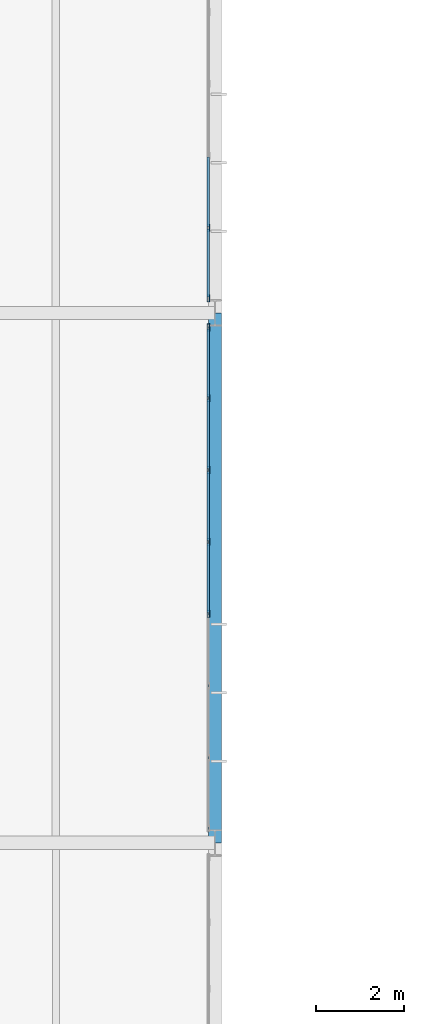
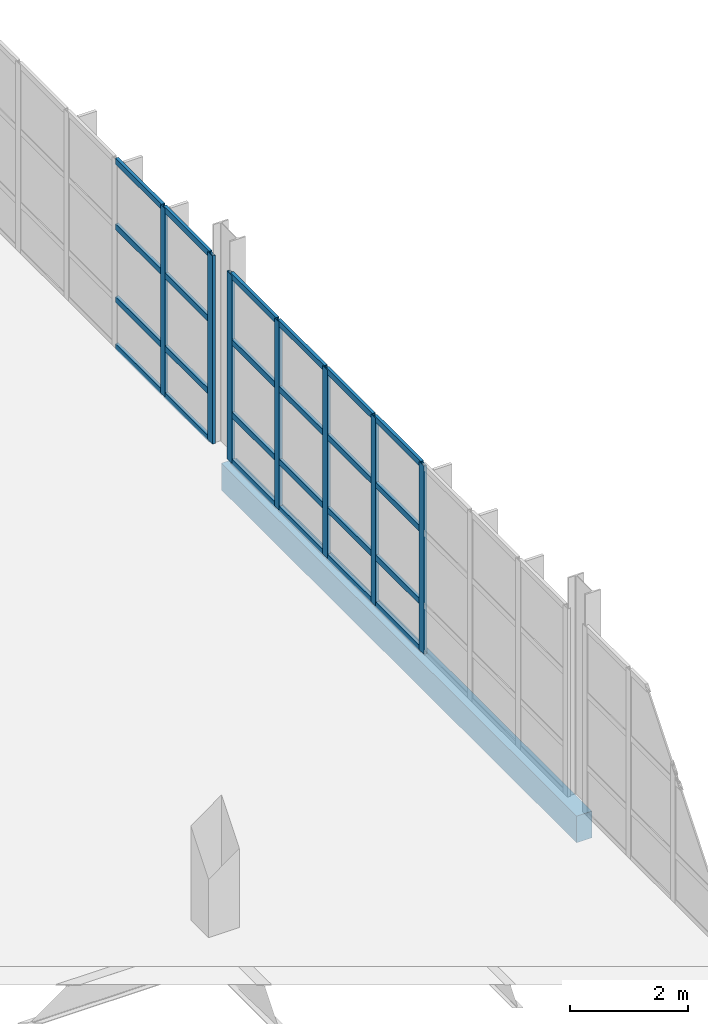
# One storey, part 95 of 130: 31 members, 1 beam, 2 elements without a shape of their own.
"""IFC4 building model written with IfcOpenShell, lengths in metres."""

from ifc_helpers import new_model, si_unit, direction, frame, origin, origin_2d, place, context, subcontext, project, spatial, rectangle, hollow_rectangle, extrude, material, material_profile, profile_set, type_object, element, aggregate, save


model = new_model("IFC4")

# Units and contexts
model_context = context("Model", 3, precision=1e-05, world=origin(), true_north=direction((0.0, 1.0)))
body_context = subcontext(model_context, "Body", "Model", "MODEL_VIEW")
ifc_project = project(units=[si_unit("LENGTHUNIT", "METRE"), si_unit("AREAUNIT", "SQUARE_METRE"), si_unit("VOLUMEUNIT", "CUBIC_METRE"), si_unit("PLANEANGLEUNIT", "RADIAN"), si_unit("MASSUNIT", "GRAM", prefix="KILO")], contexts=[model_context])

# Site, building, storey
site_placement = place(None, origin())
site = spatial("IfcSite", under=ifc_project, at=site_placement, CompositionType="ELEMENT")
building_placement = place(site_placement, origin())
building = spatial("IfcBuilding", under=site, at=building_placement, Name="Veltarok Museum of Natural Sciences", CompositionType="ELEMENT")
storey_placement = place(building_placement, frame((0.0, 0.0, 12.89990234375)))
storey = spatial("IfcBuildingStorey", under=building, at=storey_placement, Name="L02", CompositionType="ELEMENT", Elevation=12.89990234375)

# Curtain wall, members
ifc_material_1 = material(Name="Low-iron triple insulated glass", Category="glass")
curtain_wall_type_1 = type_object("IfcCurtainWallType", Name="Curtain Wall System CW-V5E-L02-E-1140x388 (V5 East Lab L02 E-F 1140x388cm)", PredefinedType="NOTDEFINED", material=ifc_material_1)
curtain_wall_1_placement = place(storey_placement, origin())
curtain_wall_1 = element("IfcCurtainWall", 1, at=curtain_wall_1_placement, inside=storey, type_object=curtain_wall_type_1, Name="Curtain Wall CW-V5E-L02-E-1140x388 CW-0112", PredefinedType="NOTDEFINED")
ifc_material_2 = material(Name="Thermally broken anodised aluminium", Category="aluminium")
ifc_material_profile_1 = material_profile(ifc_material_2, hollow_rectangle(XDim=0.06005859375, YDim=0.1201171875, WallThickness=0.0048828125, at=origin_2d()), Name="CW TRANSOM 60x120x5")
ifc_profile_set_1 = profile_set([ifc_material_profile_1], Name="Thermally broken anodised aluminium")
member_type_1 = type_object("IfcMemberType", Name="Curtain Wall Horizontal Transom 60x120x5", PredefinedType="USERDEFINED", material=ifc_profile_set_1)
member_1_placement = place(storey_placement, frame((164.64990234375, 41.2158203125, 0.030029296875), z_axis=(0.0, 1.0, 0.0), x_axis=(-1.0, 0.0, 0.0)))
member_1 = element("IfcMember", 2, at=member_1_placement, type_object=member_type_1, Name="CW-V5E-L02-E-1140x388 transom 4.1", ObjectType="TRANSOM", PredefinedType="USERDEFINED", context=body_context, shape_type="SweptSolid", body=[
    extrude(hollow_rectangle(XDim=0.06005859375, YDim=0.1201171875, WallThickness=0.0048828125, at=origin_2d()), origin(), (0.0, 0.0, 1.0), 1.568359375),
])
member_2_placement = place(storey_placement, frame((164.64990234375, 41.2158203125, 1.0), z_axis=(0.0, 1.0, 0.0), x_axis=(-1.0, 0.0, 0.0)))
member_2 = element("IfcMember", 3, at=member_2_placement, type_object=member_type_1, Name="CW-V5E-L02-E-1140x388 transom 4.2", ObjectType="TRANSOM", PredefinedType="USERDEFINED", context=body_context, shape_type="SweptSolid", body=[
    extrude(hollow_rectangle(XDim=0.06005859375, YDim=0.1201171875, WallThickness=0.0048828125, at=origin_2d()), origin(), (0.0, 0.0, 1.0), 1.568359375),
])
member_3_placement = place(storey_placement, frame((164.64990234375, 41.2158203125, 2.5), z_axis=(0.0, 1.0, 0.0), x_axis=(-1.0, 0.0, 0.0)))
member_3 = element("IfcMember", 4, at=member_3_placement, type_object=member_type_1, Name="CW-V5E-L02-E-1140x388 transom 4.3", ObjectType="TRANSOM", PredefinedType="USERDEFINED", context=body_context, shape_type="SweptSolid", body=[
    extrude(hollow_rectangle(XDim=0.06005859375, YDim=0.1201171875, WallThickness=0.0048828125, at=origin_2d()), origin(), (0.0, 0.0, 1.0), 1.568359375),
])
member_4_placement = place(storey_placement, frame((164.64990234375, 41.2158203125, 3.85009765625), z_axis=(0.0, 1.0, 0.0), x_axis=(-1.0, 0.0, 0.0)))
member_4 = element("IfcMember", 5, at=member_4_placement, type_object=member_type_1, Name="CW-V5E-L02-E-1140x388 transom 4.4", ObjectType="TRANSOM", PredefinedType="USERDEFINED", context=body_context, shape_type="SweptSolid", body=[
    extrude(hollow_rectangle(XDim=0.06005859375, YDim=0.1201171875, WallThickness=0.0048828125, at=origin_2d()), origin(), (0.0, 0.0, 1.0), 1.568359375),
])
member_5_placement = place(storey_placement, frame((164.64990234375, 42.84423828125, 0.030029296875), z_axis=(0.0, 1.0, 0.0), x_axis=(-1.0, 0.0, 0.0)))
member_5 = element("IfcMember", 6, at=member_5_placement, type_object=member_type_1, Name="CW-V5E-L02-E-1140x388 transom 5.1", ObjectType="TRANSOM", PredefinedType="USERDEFINED", context=body_context, shape_type="SweptSolid", body=[
    extrude(hollow_rectangle(XDim=0.06005859375, YDim=0.1201171875, WallThickness=0.0048828125, at=origin_2d()), origin(), (0.0, 0.0, 1.0), 1.568603515625),
])
member_6_placement = place(storey_placement, frame((164.64990234375, 42.84423828125, 1.0), z_axis=(0.0, 1.0, 0.0), x_axis=(-1.0, 0.0, 0.0)))
member_6 = element("IfcMember", 7, at=member_6_placement, type_object=member_type_1, Name="CW-V5E-L02-E-1140x388 transom 5.2", ObjectType="TRANSOM", PredefinedType="USERDEFINED", context=body_context, shape_type="SweptSolid", body=[
    extrude(hollow_rectangle(XDim=0.06005859375, YDim=0.1201171875, WallThickness=0.0048828125, at=origin_2d()), origin(), (0.0, 0.0, 1.0), 1.568603515625),
])
member_7_placement = place(storey_placement, frame((164.64990234375, 42.84423828125, 2.5), z_axis=(0.0, 1.0, 0.0), x_axis=(-1.0, 0.0, 0.0)))
member_7 = element("IfcMember", 8, at=member_7_placement, type_object=member_type_1, Name="CW-V5E-L02-E-1140x388 transom 5.3", ObjectType="TRANSOM", PredefinedType="USERDEFINED", context=body_context, shape_type="SweptSolid", body=[
    extrude(hollow_rectangle(XDim=0.06005859375, YDim=0.1201171875, WallThickness=0.0048828125, at=origin_2d()), origin(), (0.0, 0.0, 1.0), 1.568603515625),
])
member_8_placement = place(storey_placement, frame((164.64990234375, 42.84423828125, 3.85009765625), z_axis=(0.0, 1.0, 0.0), x_axis=(-1.0, 0.0, 0.0)))
member_8 = element("IfcMember", 9, at=member_8_placement, type_object=member_type_1, Name="CW-V5E-L02-E-1140x388 transom 5.4", ObjectType="TRANSOM", PredefinedType="USERDEFINED", context=body_context, shape_type="SweptSolid", body=[
    extrude(hollow_rectangle(XDim=0.06005859375, YDim=0.1201171875, WallThickness=0.0048828125, at=origin_2d()), origin(), (0.0, 0.0, 1.0), 1.568603515625),
])
member_9_placement = place(storey_placement, frame((164.64990234375, 44.472900390625, 0.030029296875), z_axis=(0.0, 1.0, 0.0), x_axis=(-1.0, 0.0, 0.0)))
member_9 = element("IfcMember", 10, at=member_9_placement, type_object=member_type_1, Name="CW-V5E-L02-E-1140x388 transom 6.1", ObjectType="TRANSOM", PredefinedType="USERDEFINED", context=body_context, shape_type="SweptSolid", body=[
    extrude(hollow_rectangle(XDim=0.06005859375, YDim=0.1201171875, WallThickness=0.0048828125, at=origin_2d()), origin(), (0.0, 0.0, 1.0), 1.568603515625),
])
member_10_placement = place(storey_placement, frame((164.64990234375, 44.472900390625, 1.0), z_axis=(0.0, 1.0, 0.0), x_axis=(-1.0, 0.0, 0.0)))
member_10 = element("IfcMember", 11, at=member_10_placement, type_object=member_type_1, Name="CW-V5E-L02-E-1140x388 transom 6.2", ObjectType="TRANSOM", PredefinedType="USERDEFINED", context=body_context, shape_type="SweptSolid", body=[
    extrude(hollow_rectangle(XDim=0.06005859375, YDim=0.1201171875, WallThickness=0.0048828125, at=origin_2d()), origin(), (0.0, 0.0, 1.0), 1.568603515625),
])
member_11_placement = place(storey_placement, frame((164.64990234375, 44.472900390625, 2.5), z_axis=(0.0, 1.0, 0.0), x_axis=(-1.0, 0.0, 0.0)))
member_11 = element("IfcMember", 12, at=member_11_placement, type_object=member_type_1, Name="CW-V5E-L02-E-1140x388 transom 6.3", ObjectType="TRANSOM", PredefinedType="USERDEFINED", context=body_context, shape_type="SweptSolid", body=[
    extrude(hollow_rectangle(XDim=0.06005859375, YDim=0.1201171875, WallThickness=0.0048828125, at=origin_2d()), origin(), (0.0, 0.0, 1.0), 1.568603515625),
])
member_12_placement = place(storey_placement, frame((164.64990234375, 44.472900390625, 3.85009765625), z_axis=(0.0, 1.0, 0.0), x_axis=(-1.0, 0.0, 0.0)))
member_12 = element("IfcMember", 13, at=member_12_placement, type_object=member_type_1, Name="CW-V5E-L02-E-1140x388 transom 6.4", ObjectType="TRANSOM", PredefinedType="USERDEFINED", context=body_context, shape_type="SweptSolid", body=[
    extrude(hollow_rectangle(XDim=0.06005859375, YDim=0.1201171875, WallThickness=0.0048828125, at=origin_2d()), origin(), (0.0, 0.0, 1.0), 1.568603515625),
])
member_13_placement = place(storey_placement, frame((164.64990234375, 46.101318359375, 0.030029296875), z_axis=(0.0, 1.0, 0.0), x_axis=(-1.0, 0.0, 0.0)))
member_13 = element("IfcMember", 14, at=member_13_placement, type_object=member_type_1, Name="CW-V5E-L02-E-1140x388 transom 7.1", ObjectType="TRANSOM", PredefinedType="USERDEFINED", context=body_context, shape_type="SweptSolid", body=[
    extrude(hollow_rectangle(XDim=0.06005859375, YDim=0.1201171875, WallThickness=0.0048828125, at=origin_2d()), origin(), (0.0, 0.0, 1.0), 1.53857421875),
])
member_14_placement = place(storey_placement, frame((164.64990234375, 46.101318359375, 1.0), z_axis=(0.0, 1.0, 0.0), x_axis=(-1.0, 0.0, 0.0)))
member_14 = element("IfcMember", 15, at=member_14_placement, type_object=member_type_1, Name="CW-V5E-L02-E-1140x388 transom 7.2", ObjectType="TRANSOM", PredefinedType="USERDEFINED", context=body_context, shape_type="SweptSolid", body=[
    extrude(hollow_rectangle(XDim=0.06005859375, YDim=0.1201171875, WallThickness=0.0048828125, at=origin_2d()), origin(), (0.0, 0.0, 1.0), 1.53857421875),
])
member_15_placement = place(storey_placement, frame((164.64990234375, 46.101318359375, 2.5), z_axis=(0.0, 1.0, 0.0), x_axis=(-1.0, 0.0, 0.0)))
member_15 = element("IfcMember", 16, at=member_15_placement, type_object=member_type_1, Name="CW-V5E-L02-E-1140x388 transom 7.3", ObjectType="TRANSOM", PredefinedType="USERDEFINED", context=body_context, shape_type="SweptSolid", body=[
    extrude(hollow_rectangle(XDim=0.06005859375, YDim=0.1201171875, WallThickness=0.0048828125, at=origin_2d()), origin(), (0.0, 0.0, 1.0), 1.53857421875),
])
member_16_placement = place(storey_placement, frame((164.64990234375, 46.101318359375, 3.85009765625), z_axis=(0.0, 1.0, 0.0), x_axis=(-1.0, 0.0, 0.0)))
member_16 = element("IfcMember", 17, at=member_16_placement, type_object=member_type_1, Name="CW-V5E-L02-E-1140x388 transom 7.4", ObjectType="TRANSOM", PredefinedType="USERDEFINED", context=body_context, shape_type="SweptSolid", body=[
    extrude(hollow_rectangle(XDim=0.06005859375, YDim=0.1201171875, WallThickness=0.0048828125, at=origin_2d()), origin(), (0.0, 0.0, 1.0), 1.53857421875),
])

curtain_wall_type_2 = type_object("IfcCurtainWallType", Name="Curtain Wall System CW-V5E-L02-F-1140x388 (V5 East Lab L02 F-G 1140x388cm)", PredefinedType="NOTDEFINED", material=ifc_material_1)
curtain_wall_2_placement = place(storey_placement, origin())
curtain_wall_2 = element("IfcCurtainWall", 18, at=curtain_wall_2_placement, inside=storey, type_object=curtain_wall_type_2, Name="Curtain Wall CW-V5E-L02-F-1140x388 CW-0113", PredefinedType="NOTDEFINED")
member_17_placement = place(storey_placement, frame((164.64990234375, 48.360107421875, 0.030029296875), z_axis=(0.0, 1.0, 0.0), x_axis=(-1.0, 0.0, 0.0)))
member_17 = element("IfcMember", 19, at=member_17_placement, type_object=member_type_1, Name="CW-V5E-L02-F-1140x388 transom 1.1", ObjectType="TRANSOM", PredefinedType="USERDEFINED", context=body_context, shape_type="SweptSolid", body=[
    extrude(hollow_rectangle(XDim=0.06005859375, YDim=0.1201171875, WallThickness=0.0048828125, at=origin_2d()), origin(), (0.0, 0.0, 1.0), 1.53857421875),
])
member_18_placement = place(storey_placement, frame((164.64990234375, 48.360107421875, 1.0), z_axis=(0.0, 1.0, 0.0), x_axis=(-1.0, 0.0, 0.0)))
member_18 = element("IfcMember", 20, at=member_18_placement, type_object=member_type_1, Name="CW-V5E-L02-F-1140x388 transom 1.2", ObjectType="TRANSOM", PredefinedType="USERDEFINED", context=body_context, shape_type="SweptSolid", body=[
    extrude(hollow_rectangle(XDim=0.06005859375, YDim=0.1201171875, WallThickness=0.0048828125, at=origin_2d()), origin(), (0.0, 0.0, 1.0), 1.53857421875),
])
member_19_placement = place(storey_placement, frame((164.64990234375, 48.360107421875, 2.5), z_axis=(0.0, 1.0, 0.0), x_axis=(-1.0, 0.0, 0.0)))
member_19 = element("IfcMember", 21, at=member_19_placement, type_object=member_type_1, Name="CW-V5E-L02-F-1140x388 transom 1.3", ObjectType="TRANSOM", PredefinedType="USERDEFINED", context=body_context, shape_type="SweptSolid", body=[
    extrude(hollow_rectangle(XDim=0.06005859375, YDim=0.1201171875, WallThickness=0.0048828125, at=origin_2d()), origin(), (0.0, 0.0, 1.0), 1.53857421875),
])
member_20_placement = place(storey_placement, frame((164.64990234375, 48.360107421875, 3.85009765625), z_axis=(0.0, 1.0, 0.0), x_axis=(-1.0, 0.0, 0.0)))
member_20 = element("IfcMember", 22, at=member_20_placement, type_object=member_type_1, Name="CW-V5E-L02-F-1140x388 transom 1.4", ObjectType="TRANSOM", PredefinedType="USERDEFINED", context=body_context, shape_type="SweptSolid", body=[
    extrude(hollow_rectangle(XDim=0.06005859375, YDim=0.1201171875, WallThickness=0.0048828125, at=origin_2d()), origin(), (0.0, 0.0, 1.0), 1.53857421875),
])
member_21_placement = place(storey_placement, frame((164.64990234375, 49.95849609375, 0.030029296875), z_axis=(0.0, 1.0, 0.0), x_axis=(-1.0, 0.0, 0.0)))
member_21 = element("IfcMember", 23, at=member_21_placement, type_object=member_type_1, Name="CW-V5E-L02-F-1140x388 transom 2.1", ObjectType="TRANSOM", PredefinedType="USERDEFINED", context=body_context, shape_type="SweptSolid", body=[
    extrude(hollow_rectangle(XDim=0.06005859375, YDim=0.1201171875, WallThickness=0.0048828125, at=origin_2d()), origin(), (0.0, 0.0, 1.0), 1.568603515625),
])
member_22_placement = place(storey_placement, frame((164.64990234375, 49.95849609375, 1.0), z_axis=(0.0, 1.0, 0.0), x_axis=(-1.0, 0.0, 0.0)))
member_22 = element("IfcMember", 24, at=member_22_placement, type_object=member_type_1, Name="CW-V5E-L02-F-1140x388 transom 2.2", ObjectType="TRANSOM", PredefinedType="USERDEFINED", context=body_context, shape_type="SweptSolid", body=[
    extrude(hollow_rectangle(XDim=0.06005859375, YDim=0.1201171875, WallThickness=0.0048828125, at=origin_2d()), origin(), (0.0, 0.0, 1.0), 1.568603515625),
])
member_23_placement = place(storey_placement, frame((164.64990234375, 49.95849609375, 2.5), z_axis=(0.0, 1.0, 0.0), x_axis=(-1.0, 0.0, 0.0)))
member_23 = element("IfcMember", 25, at=member_23_placement, type_object=member_type_1, Name="CW-V5E-L02-F-1140x388 transom 2.3", ObjectType="TRANSOM", PredefinedType="USERDEFINED", context=body_context, shape_type="SweptSolid", body=[
    extrude(hollow_rectangle(XDim=0.06005859375, YDim=0.1201171875, WallThickness=0.0048828125, at=origin_2d()), origin(), (0.0, 0.0, 1.0), 1.568603515625),
])
member_24_placement = place(storey_placement, frame((164.64990234375, 49.95849609375, 3.85009765625), z_axis=(0.0, 1.0, 0.0), x_axis=(-1.0, 0.0, 0.0)))
member_24 = element("IfcMember", 26, at=member_24_placement, type_object=member_type_1, Name="CW-V5E-L02-F-1140x388 transom 2.4", ObjectType="TRANSOM", PredefinedType="USERDEFINED", context=body_context, shape_type="SweptSolid", body=[
    extrude(hollow_rectangle(XDim=0.06005859375, YDim=0.1201171875, WallThickness=0.0048828125, at=origin_2d()), origin(), (0.0, 0.0, 1.0), 1.568603515625),
])

# Member
ifc_material_profile_2 = material_profile(ifc_material_2, hollow_rectangle(XDim=0.06005859375, YDim=0.159912109375, WallThickness=0.0048828125, at=origin_2d()), Name="CW MULLION 60x160x5")
ifc_profile_set_2 = profile_set([ifc_material_profile_2], Name="Thermally broken anodised aluminium")
member_type_2 = type_object("IfcMemberType", Name="Curtain Wall Vertical Mullion 60x160x5", PredefinedType="MULLION", material=ifc_profile_set_2)
member_25_placement = place(storey_placement, frame((164.64990234375, 41.185791015625, 0.0), z_axis=(0.0, 0.0, 1.0), x_axis=(-1.0, 0.0, 0.0)))
member_25 = element("IfcMember", 27, at=member_25_placement, type_object=member_type_2, Name="CW-V5E-L02-E-1140x388 mullion 4", PredefinedType="MULLION", context=body_context, shape_type="SweptSolid", body=[
    extrude(hollow_rectangle(XDim=0.06005859375, YDim=0.159912109375, WallThickness=0.0048828125, at=origin_2d()), origin(), (0.0, 0.0, 1.0), 3.880126953125),
])

member_26_placement = place(storey_placement, frame((164.64990234375, 42.814208984375, 0.0), z_axis=(0.0, 0.0, 1.0), x_axis=(-1.0, 0.0, 0.0)))
member_26 = element("IfcMember", 28, at=member_26_placement, type_object=member_type_2, Name="CW-V5E-L02-E-1140x388 mullion 5", PredefinedType="MULLION", context=body_context, shape_type="SweptSolid", body=[
    extrude(hollow_rectangle(XDim=0.06005859375, YDim=0.159912109375, WallThickness=0.0048828125, at=origin_2d()), origin(), (0.0, 0.0, 1.0), 3.880126953125),
])

member_27_placement = place(storey_placement, frame((164.64990234375, 44.44287109375, 0.0), z_axis=(0.0, 0.0, 1.0), x_axis=(-1.0, 0.0, 0.0)))
member_27 = element("IfcMember", 29, at=member_27_placement, type_object=member_type_2, Name="CW-V5E-L02-E-1140x388 mullion 6", PredefinedType="MULLION", context=body_context, shape_type="SweptSolid", body=[
    extrude(hollow_rectangle(XDim=0.06005859375, YDim=0.159912109375, WallThickness=0.0048828125, at=origin_2d()), origin(), (0.0, 0.0, 1.0), 3.880126953125),
])

member_28_placement = place(storey_placement, frame((164.64990234375, 46.071533203125, 0.0), z_axis=(0.0, 0.0, 1.0), x_axis=(-1.0, 0.0, 0.0)))
member_28 = element("IfcMember", 30, at=member_28_placement, type_object=member_type_2, Name="CW-V5E-L02-E-1140x388 mullion 7", PredefinedType="MULLION", context=body_context, shape_type="SweptSolid", body=[
    extrude(hollow_rectangle(XDim=0.06005859375, YDim=0.159912109375, WallThickness=0.0048828125, at=origin_2d()), origin(), (0.0, 0.0, 1.0), 3.880126953125),
])

member_29_placement = place(storey_placement, frame((164.64990234375, 47.669921875, 0.0), z_axis=(0.0, 0.0, 1.0), x_axis=(-1.0, 0.0, 0.0)))
member_29 = element("IfcMember", 31, at=member_29_placement, type_object=member_type_2, Name="CW-V5E-L02-E-1140x388 mullion 8", PredefinedType="MULLION", context=body_context, shape_type="SweptSolid", body=[
    extrude(hollow_rectangle(XDim=0.06005859375, YDim=0.159912109375, WallThickness=0.0048828125, at=origin_2d()), origin(), (0.0, 0.0, 1.0), 3.880126953125),
])

aggregate(curtain_wall_1, [member_25, member_26, member_27, member_28, member_29, member_1, member_2, member_3, member_4, member_5, member_6, member_7, member_8, member_9, member_10, member_11, member_12, member_13, member_14, member_15, member_16])

member_30_placement = place(storey_placement, frame((164.64990234375, 48.330078125, 0.0), z_axis=(0.0, 0.0, 1.0), x_axis=(-1.0, 0.0, 0.0)))
member_30 = element("IfcMember", 32, at=member_30_placement, type_object=member_type_2, Name="CW-V5E-L02-F-1140x388 mullion 1", PredefinedType="MULLION", context=body_context, shape_type="SweptSolid", body=[
    extrude(hollow_rectangle(XDim=0.06005859375, YDim=0.159912109375, WallThickness=0.0048828125, at=origin_2d()), origin(), (0.0, 0.0, 1.0), 3.880126953125),
])

member_31_placement = place(storey_placement, frame((164.64990234375, 49.928466796875, 0.0), z_axis=(0.0, 0.0, 1.0), x_axis=(-1.0, 0.0, 0.0)))
member_31 = element("IfcMember", 33, at=member_31_placement, type_object=member_type_2, Name="CW-V5E-L02-F-1140x388 mullion 2", PredefinedType="MULLION", context=body_context, shape_type="SweptSolid", body=[
    extrude(hollow_rectangle(XDim=0.06005859375, YDim=0.159912109375, WallThickness=0.0048828125, at=origin_2d()), origin(), (0.0, 0.0, 1.0), 3.880126953125),
])

aggregate(curtain_wall_2, [member_30, member_31, member_17, member_18, member_19, member_20, member_21, member_22, member_23, member_24])

# Beam
ifc_material_3 = material(Name="Precast concrete C40/50", Category="concrete")
ifc_material_profile_3 = material_profile(ifc_material_3, rectangle(XDim=0.300048828125, YDim=0.550048828125, at=origin_2d()), Name="RC 300x550")
ifc_profile_set_3 = profile_set([ifc_material_profile_3], Name="Precast concrete C40/50")
beam_type = type_object("IfcBeamType", Name="East Wing Precast Spandrel RC 300x550", PredefinedType="SPANDREL", material=ifc_profile_set_3)
beam_placement = place(storey_placement, frame((164.800048828125, 36.0, -0.52490234375), z_axis=(0.0, 1.0, 0.0), x_axis=(-1.0, 0.0, 0.0)))
element("IfcBeam", 34, at=beam_placement, inside=storey, type_object=beam_type, Name="Beam BM-SP02 L02 20/E-F", PredefinedType="SPANDREL", context=body_context, shape_type="SweptSolid", body=[
    extrude(rectangle(XDim=0.300048828125, YDim=0.550048828125, at=origin_2d()), origin(), (0.0, 0.0, 1.0), 12.0),
])

save(model, "model.ifc")
